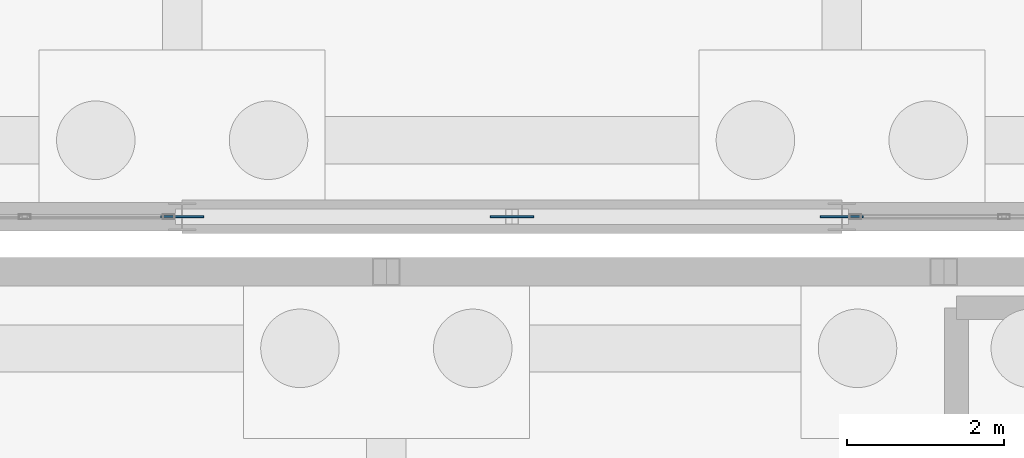
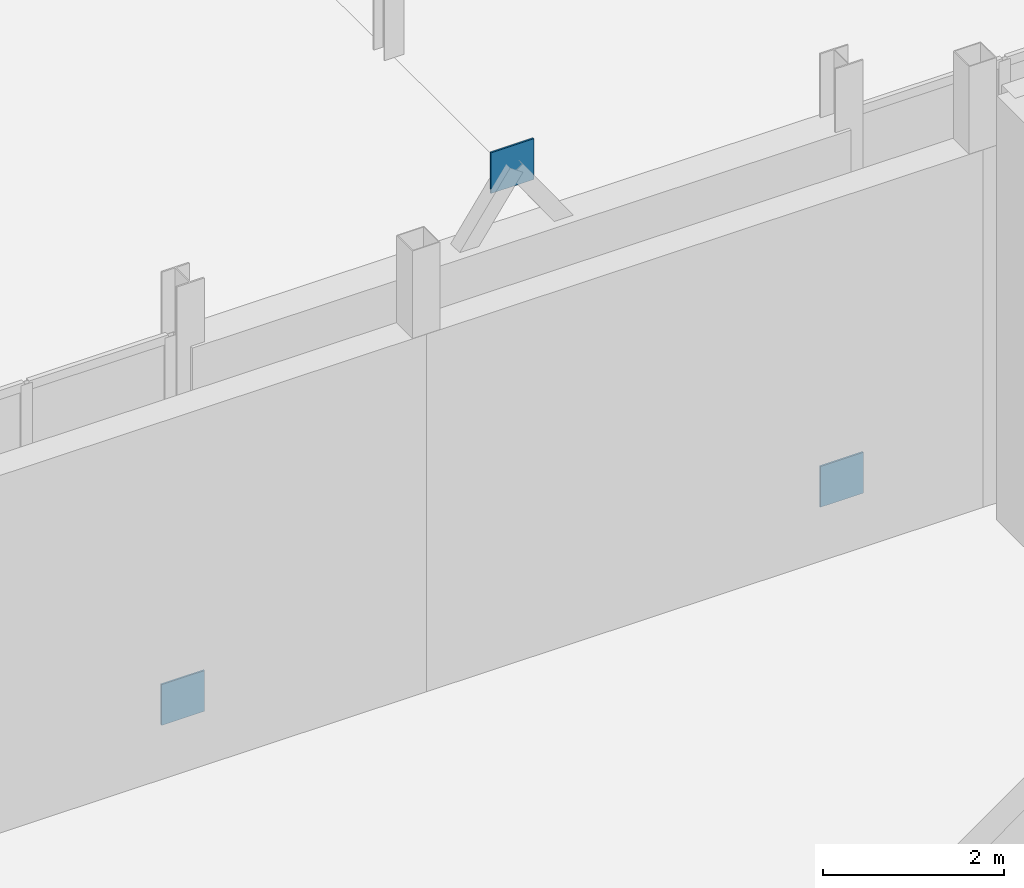
# One storey, part 115 of 139: 3 plates.
"""IFC4 building model written with IfcOpenShell, lengths in metres."""

from ifc_helpers import new_model, si_unit, direction, frame, origin, origin_2d, place, context, subcontext, project, spatial, rectangle, extrude, material, layer, layer_set, type_object, element, save


model = new_model("IFC4")

# Units and contexts
model_context = context("Model", 3, precision=1e-05, world=origin(), true_north=direction((0.0, 1.0)))
body_context = subcontext(model_context, "Body", "Model", "MODEL_VIEW")
ifc_project = project(units=[si_unit("LENGTHUNIT", "METRE"), si_unit("AREAUNIT", "SQUARE_METRE"), si_unit("VOLUMEUNIT", "CUBIC_METRE"), si_unit("PLANEANGLEUNIT", "RADIAN"), si_unit("MASSUNIT", "GRAM", prefix="KILO")], contexts=[model_context])

# Site, building, storey
site_placement = place(None, origin())
site = spatial("IfcSite", under=ifc_project, at=site_placement, CompositionType="ELEMENT")
building_placement = place(site_placement, origin())
building = spatial("IfcBuilding", under=site, at=building_placement, Name="Kazenagashi Tramway Depot", CompositionType="ELEMENT")
storey_placement = place(building_placement, origin())
storey = spatial("IfcBuildingStorey", under=building, at=storey_placement, Name="L01", CompositionType="ELEMENT", Elevation=0.0)

# Plates
ifc_material = material(Name="Steel SN490B", Category="steel")
ifc_layer = layer(ifc_material, 0.022)
ifc_layer_set = layer_set([ifc_layer], Name="Steel SN490B")
plate_type = type_object("IfcPlateType", Name="GP-01", PredefinedType="USERDEFINED", material=ifc_layer_set)
for number, where, z_axis, x_axis, name in (
    (1, (179.2, 70.0, 0.025), (0.0, 0.0, 1.0), (1.0, 0.0, 0.0), "Structural Node Plate GP-01 PLT-0162"),
    (2, (183.4, 70.0, 5.725), (0.0, 0.0, 1.0), (1.0, 0.0, 0.0), "Structural Node Plate GP-01 PLT-0163"),
    (3, (187.6, 70.0, 0.025), (0.0, 0.0, 1.0), (1.0, 0.0, 0.0), "Structural Node Plate GP-01 PLT-0164"),
):
    element("IfcPlate", number, at=place(storey_placement, frame(where, z_axis=z_axis, x_axis=x_axis)), inside=storey, type_object=plate_type, Name=name, ObjectType="GUSSET PLATE", PredefinedType="USERDEFINED", context=body_context, shape_type="SweptSolid", body=[
        extrude(rectangle(XDim=0.55, YDim=0.022, at=origin_2d()), origin(), (0.0, 0.0, 1.0), 0.55),
    ])

save(model, "model.ifc")
